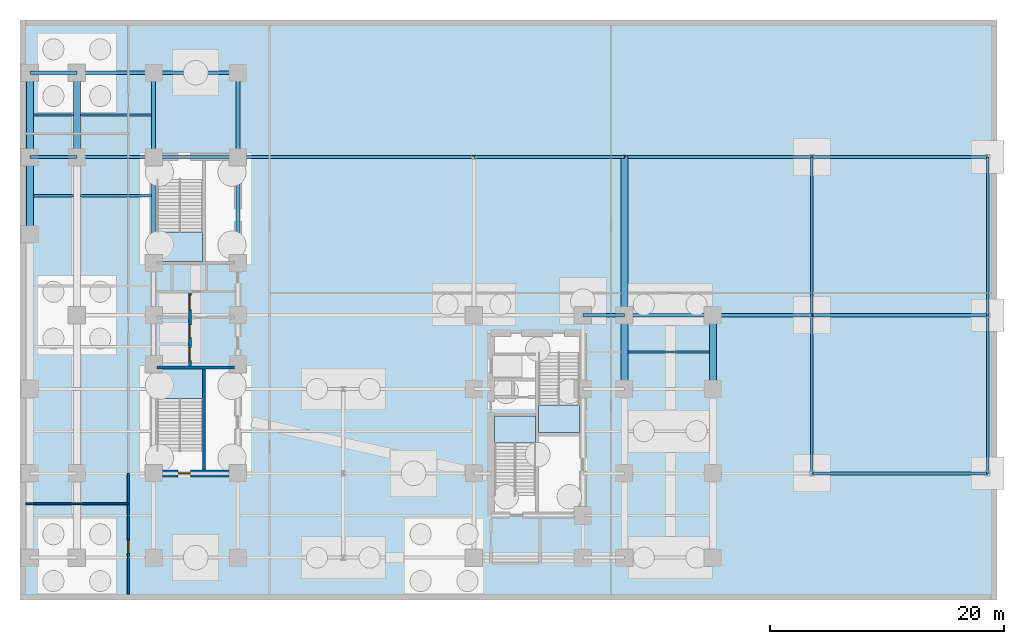
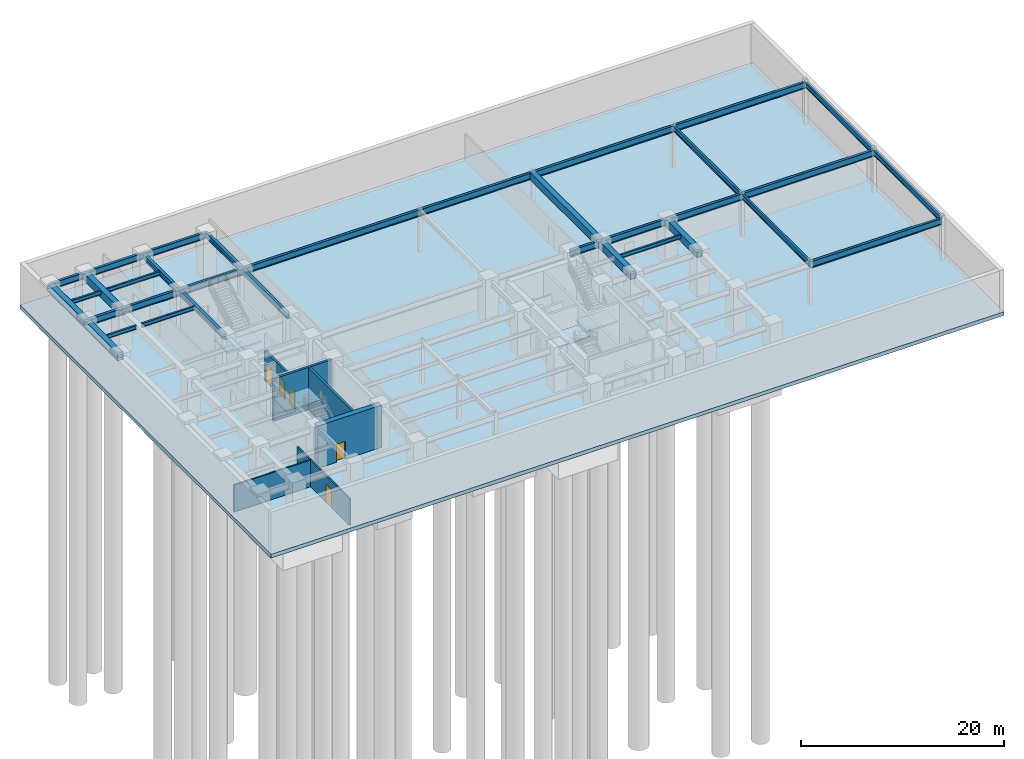
# One storey, part 5 of 11: 34 beams, 6 walls, 5 doors, 5 slabs, 5 openings, 4 elements without a shape of their own.
"""IFC4 building model written with IfcOpenShell, lengths in metres."""

from ifc_helpers import new_model, entity, si_unit, converted_unit, direction, frame, origin_with_axes, origin_2d_with_axis, place, context, subcontext, project, spatial, polyline, rectangle, i_section, outline, extrude, material, layer, layer_set, material_profile, profile_set, type_object, element, fill, aggregate, save


model = new_model("IFC4")

# Units and contexts
model_context = context("Model", 3, precision=1e-05, world=origin_with_axes(), true_north=direction((0.0, 1.0)))
body_context = subcontext(model_context, "Body", "Model", "MODEL_VIEW")
ifc_project = project(units=[si_unit("LENGTHUNIT", "METRE"), si_unit("AREAUNIT", "SQUARE_METRE"), si_unit("VOLUMEUNIT", "CUBIC_METRE"), converted_unit("PLANEANGLEUNIT", "DEGREE", entity("IfcPlaneAngleMeasure", 0.017453292519943295), si_unit("PLANEANGLEUNIT", "RADIAN"), dimensions=[0, 0, 0, 0, 0, 0, 0]), si_unit("MASSUNIT", "GRAM", prefix="KILO"), si_unit("THERMODYNAMICTEMPERATUREUNIT", "KELVIN")], contexts=[model_context])

# Site, building, storey
site_placement = place(None, origin_with_axes())
site = spatial("IfcSite", under=ifc_project, at=site_placement, CompositionType="ELEMENT")
building_placement = place(site_placement, origin_with_axes())
building = spatial("IfcBuilding", under=site, at=building_placement, Name="Varnlund Millrace Tower", CompositionType="ELEMENT")
storey_placement = place(building_placement, frame((0.0, 0.0, -10.2), z_axis=(0.0, 0.0, 1.0), x_axis=(1.0, 0.0, 0.0)))
storey = spatial("IfcBuildingStorey", under=building, at=storey_placement, Name="B2", CompositionType="ELEMENT", Elevation=-10.2)

# Beams
ifc_material_1 = material(Name="Steel ASTM A992 Grade 50", Category="steel")
ifc_material_profile_1 = material_profile(ifc_material_1, i_section(OverallWidth=0.228, OverallDepth=0.607, WebThickness=0.0112, FlangeThickness=0.0173, FilletRadius=0.015, at=origin_2d_with_axis()), Name="Steel ASTM A992 Grade 50")
ifc_profile_set_1 = profile_set([ifc_material_profile_1], Name="Steel ASTM A992 Grade 50")
beam_type_1 = type_object("IfcBeamType", Name="Type-Beam-W24X76", PredefinedType="BEAM", material=ifc_profile_set_1)
for number, where, z_axis, x_axis, name in (
    (1, (67.6, 10.8, 4.7765), (0.0, 1.0, 0.0), (-1.0, 0.0, 0.0), "Type-Beam-W24X76"),
    (2, (67.6, 24.3, 4.7765), (0.0, 1.0, 0.0), (-1.0, 0.0, 0.0), "Type-Beam-W24X76"),
    (3, (82.6, 10.8, 4.7765), (0.0, 1.0, 0.0), (-1.0, 0.0, 0.0), "Type-Beam-W24X76"),
    (4, (82.6, 24.3, 4.7765), (0.0, 1.0, 0.0), (-1.0, 0.0, 0.0), "Type-Beam-W24X76"),
):
    element("IfcBeam", number, at=place(storey_placement, frame(where, z_axis=z_axis, x_axis=x_axis)), inside=storey, type_object=beam_type_1, Name=name, PredefinedType="BEAM", context=body_context, shape_type="SweptSolid", body=[
        extrude(i_section(OverallWidth=0.228, OverallDepth=0.607, WebThickness=0.0112, FlangeThickness=0.0173, FilletRadius=0.015, at=origin_2d_with_axis()), origin_with_axes(), (0.0, 0.0, 1.0), 13.5),
    ])
ifc_material_profile_2 = material_profile(ifc_material_1, i_section(OverallWidth=0.328, OverallDepth=0.628, WebThickness=0.0165, FlangeThickness=0.0277, FilletRadius=0.018, at=origin_2d_with_axis()), Name="Steel ASTM A992 Grade 50")
ifc_profile_set_2 = profile_set([ifc_material_profile_2], Name="Steel ASTM A992 Grade 50")
beam_type_2 = type_object("IfcBeamType", Name="Type-Girder-W24X146", PredefinedType="USERDEFINED", material=ifc_profile_set_2)
beam_1_placement = place(storey_placement, frame((11.4, 28.75, 4.766), z_axis=(0.0, 1.0, 0.0), x_axis=(-1.0, 0.0, 0.0)))
element("IfcBeam", 5, at=beam_1_placement, inside=storey, type_object=beam_type_2, Name="Type-Girder-W24X146", ObjectType="GIRDER", PredefinedType="USERDEFINED", context=body_context, shape_type="SweptSolid", body=[
    extrude(i_section(OverallWidth=0.328, OverallDepth=0.628, WebThickness=0.0165, FlangeThickness=0.0277, FilletRadius=0.018, at=origin_2d_with_axis()), origin_with_axes(), (0.0, 0.0, 1.0), 9.05),
])
beam_2_placement = place(storey_placement, frame((11.4, 37.8, 4.766), z_axis=(0.0, 1.0, 0.0), x_axis=(-1.0, 0.0, 0.0)))
element("IfcBeam", 6, at=beam_2_placement, inside=storey, type_object=beam_type_2, Name="Type-Girder-W24X146", ObjectType="GIRDER", PredefinedType="USERDEFINED", context=body_context, shape_type="SweptSolid", body=[
    extrude(i_section(OverallWidth=0.328, OverallDepth=0.628, WebThickness=0.0165, FlangeThickness=0.0277, FilletRadius=0.018, at=origin_2d_with_axis()), origin_with_axes(), (0.0, 0.0, 1.0), 7.2),
])
beam_3_placement = place(storey_placement, frame((18.6, 28.75, 4.766), z_axis=(0.0, 1.0, 0.0), x_axis=(-1.0, 0.0, 0.0)))
element("IfcBeam", 7, at=beam_3_placement, inside=storey, type_object=beam_type_2, Name="Type-Girder-W24X146", ObjectType="GIRDER", PredefinedType="USERDEFINED", context=body_context, shape_type="SweptSolid", body=[
    extrude(i_section(OverallWidth=0.328, OverallDepth=0.628, WebThickness=0.0165, FlangeThickness=0.0277, FilletRadius=0.018, at=origin_2d_with_axis()), origin_with_axes(), (0.0, 0.0, 1.0), 9.05),
])
beam_4_placement = place(storey_placement, frame((18.6, 37.8, 4.766), z_axis=(0.0, 1.0, 0.0), x_axis=(-1.0, 0.0, 0.0)))
element("IfcBeam", 8, at=beam_4_placement, inside=storey, type_object=beam_type_2, Name="Type-Girder-W24X146", ObjectType="GIRDER", PredefinedType="USERDEFINED", context=body_context, shape_type="SweptSolid", body=[
    extrude(i_section(OverallWidth=0.328, OverallDepth=0.628, WebThickness=0.0165, FlangeThickness=0.0277, FilletRadius=0.018, at=origin_2d_with_axis()), origin_with_axes(), (0.0, 0.0, 1.0), 7.2),
])
ifc_material_profile_3 = material_profile(ifc_material_1, i_section(OverallWidth=0.266, OverallDepth=0.779, WebThickness=0.0165, FlangeThickness=0.03, FilletRadius=0.02, at=origin_2d_with_axis()), Name="Steel ASTM A992 Grade 50")
ifc_profile_set_3 = profile_set([ifc_material_profile_3], Name="Steel ASTM A992 Grade 50")
beam_type_3 = type_object("IfcBeamType", Name="Type-Girder-W30X148", PredefinedType="USERDEFINED", material=ifc_profile_set_3)
beam_5_placement = place(storey_placement, frame((67.6, 10.8, 4.6905), z_axis=(1.0, 0.0, 0.0), x_axis=(0.0, 1.0, 0.0)))
element("IfcBeam", 9, at=beam_5_placement, inside=storey, type_object=beam_type_3, Name="Type-Girder-W30X148", ObjectType="GIRDER", PredefinedType="USERDEFINED", context=body_context, shape_type="SweptSolid", body=[
    extrude(i_section(OverallWidth=0.266, OverallDepth=0.779, WebThickness=0.0165, FlangeThickness=0.03, FilletRadius=0.02, at=origin_2d_with_axis()), origin_with_axes(), (0.0, 0.0, 1.0), 15.0),
])
beam_6_placement = place(storey_placement, frame((48.05, 24.3, 4.6905), z_axis=(1.0, 0.0, 0.0), x_axis=(0.0, 1.0, 0.0)))
element("IfcBeam", 10, at=beam_6_placement, inside=storey, type_object=beam_type_3, Name="Type-Girder-W30X148", ObjectType="GIRDER", PredefinedType="USERDEFINED", context=body_context, shape_type="SweptSolid", body=[
    extrude(i_section(OverallWidth=0.266, OverallDepth=0.779, WebThickness=0.0165, FlangeThickness=0.03, FilletRadius=0.02, at=origin_2d_with_axis()), origin_with_axes(), (0.0, 0.0, 1.0), 3.55),
])
beam_7_placement = place(storey_placement, frame((51.6, 24.3, 4.6905), z_axis=(1.0, 0.0, 0.0), x_axis=(0.0, 1.0, 0.0)))
element("IfcBeam", 11, at=beam_7_placement, inside=storey, type_object=beam_type_3, Name="Type-Girder-W30X148", ObjectType="GIRDER", PredefinedType="USERDEFINED", context=body_context, shape_type="SweptSolid", body=[
    extrude(i_section(OverallWidth=0.266, OverallDepth=0.779, WebThickness=0.0165, FlangeThickness=0.03, FilletRadius=0.02, at=origin_2d_with_axis()), origin_with_axes(), (0.0, 0.0, 1.0), 7.55),
])
beam_8_placement = place(storey_placement, frame((59.15, 24.3, 4.6905), z_axis=(1.0, 0.0, 0.0), x_axis=(0.0, 1.0, 0.0)))
element("IfcBeam", 12, at=beam_8_placement, inside=storey, type_object=beam_type_3, Name="Type-Girder-W30X148", ObjectType="GIRDER", PredefinedType="USERDEFINED", context=body_context, shape_type="SweptSolid", body=[
    extrude(i_section(OverallWidth=0.266, OverallDepth=0.779, WebThickness=0.0165, FlangeThickness=0.03, FilletRadius=0.02, at=origin_2d_with_axis()), origin_with_axes(), (0.0, 0.0, 1.0), 8.45),
])
beam_9_placement = place(storey_placement, frame((67.6, 24.3, 4.6905), z_axis=(1.0, 0.0, 0.0), x_axis=(0.0, 1.0, 0.0)))
element("IfcBeam", 13, at=beam_9_placement, inside=storey, type_object=beam_type_3, Name="Type-Girder-W30X148", ObjectType="GIRDER", PredefinedType="USERDEFINED", context=body_context, shape_type="SweptSolid", body=[
    extrude(i_section(OverallWidth=0.266, OverallDepth=0.779, WebThickness=0.0165, FlangeThickness=0.03, FilletRadius=0.02, at=origin_2d_with_axis()), origin_with_axes(), (0.0, 0.0, 1.0), 15.0),
])
beam_10_placement = place(storey_placement, frame((0.85, 37.8, 4.6905), z_axis=(1.0, 0.0, 0.0), x_axis=(0.0, 1.0, 0.0)))
element("IfcBeam", 14, at=beam_10_placement, inside=storey, type_object=beam_type_3, Name="Type-Girder-W30X148", ObjectType="GIRDER", PredefinedType="USERDEFINED", context=body_context, shape_type="SweptSolid", body=[
    extrude(i_section(OverallWidth=0.266, OverallDepth=0.779, WebThickness=0.0165, FlangeThickness=0.03, FilletRadius=0.02, at=origin_2d_with_axis()), origin_with_axes(), (0.0, 0.0, 1.0), 4.0),
])
beam_11_placement = place(storey_placement, frame((4.85, 37.8, 4.6905), z_axis=(1.0, 0.0, 0.0), x_axis=(0.0, 1.0, 0.0)))
element("IfcBeam", 15, at=beam_11_placement, inside=storey, type_object=beam_type_3, Name="Type-Girder-W30X148", ObjectType="GIRDER", PredefinedType="USERDEFINED", context=body_context, shape_type="SweptSolid", body=[
    extrude(i_section(OverallWidth=0.266, OverallDepth=0.779, WebThickness=0.0165, FlangeThickness=0.03, FilletRadius=0.02, at=origin_2d_with_axis()), origin_with_axes(), (0.0, 0.0, 1.0), 6.55),
])
beam_12_placement = place(storey_placement, frame((11.4, 37.8, 4.6905), z_axis=(1.0, 0.0, 0.0), x_axis=(0.0, 1.0, 0.0)))
element("IfcBeam", 16, at=beam_12_placement, inside=storey, type_object=beam_type_3, Name="Type-Girder-W30X148", ObjectType="GIRDER", PredefinedType="USERDEFINED", context=body_context, shape_type="SweptSolid", body=[
    extrude(i_section(OverallWidth=0.266, OverallDepth=0.779, WebThickness=0.0165, FlangeThickness=0.03, FilletRadius=0.02, at=origin_2d_with_axis()), origin_with_axes(), (0.0, 0.0, 1.0), 7.2),
])
beam_13_placement = place(storey_placement, frame((18.6, 37.8, 4.6905), z_axis=(1.0, 0.0, 0.0), x_axis=(0.0, 1.0, 0.0)))
element("IfcBeam", 17, at=beam_13_placement, inside=storey, type_object=beam_type_3, Name="Type-Girder-W30X148", ObjectType="GIRDER", PredefinedType="USERDEFINED", context=body_context, shape_type="SweptSolid", body=[
    extrude(i_section(OverallWidth=0.266, OverallDepth=0.779, WebThickness=0.0165, FlangeThickness=0.03, FilletRadius=0.02, at=origin_2d_with_axis()), origin_with_axes(), (0.0, 0.0, 1.0), 20.15),
])
beam_14_placement = place(storey_placement, frame((38.75, 37.8, 4.6905), z_axis=(1.0, 0.0, 0.0), x_axis=(0.0, 1.0, 0.0)))
element("IfcBeam", 18, at=beam_14_placement, inside=storey, type_object=beam_type_3, Name="Type-Girder-W30X148", ObjectType="GIRDER", PredefinedType="USERDEFINED", context=body_context, shape_type="SweptSolid", body=[
    extrude(i_section(OverallWidth=0.266, OverallDepth=0.779, WebThickness=0.0165, FlangeThickness=0.03, FilletRadius=0.02, at=origin_2d_with_axis()), origin_with_axes(), (0.0, 0.0, 1.0), 12.85),
])
beam_15_placement = place(storey_placement, frame((51.6, 37.8, 4.6905), z_axis=(1.0, 0.0, 0.0), x_axis=(0.0, 1.0, 0.0)))
element("IfcBeam", 19, at=beam_15_placement, inside=storey, type_object=beam_type_3, Name="Type-Girder-W30X148", ObjectType="GIRDER", PredefinedType="USERDEFINED", context=body_context, shape_type="SweptSolid", body=[
    extrude(i_section(OverallWidth=0.266, OverallDepth=0.779, WebThickness=0.0165, FlangeThickness=0.03, FilletRadius=0.02, at=origin_2d_with_axis()), origin_with_axes(), (0.0, 0.0, 1.0), 16.0),
])
beam_16_placement = place(storey_placement, frame((67.6, 37.8, 4.6905), z_axis=(1.0, 0.0, 0.0), x_axis=(0.0, 1.0, 0.0)))
element("IfcBeam", 20, at=beam_16_placement, inside=storey, type_object=beam_type_3, Name="Type-Girder-W30X148", ObjectType="GIRDER", PredefinedType="USERDEFINED", context=body_context, shape_type="SweptSolid", body=[
    extrude(i_section(OverallWidth=0.266, OverallDepth=0.779, WebThickness=0.0165, FlangeThickness=0.03, FilletRadius=0.02, at=origin_2d_with_axis()), origin_with_axes(), (0.0, 0.0, 1.0), 15.0),
])
beam_17_placement = place(storey_placement, frame((0.85, 45.0, 4.6905), z_axis=(1.0, 0.0, 0.0), x_axis=(0.0, 1.0, 0.0)))
element("IfcBeam", 21, at=beam_17_placement, inside=storey, type_object=beam_type_3, Name="Type-Girder-W30X148", ObjectType="GIRDER", PredefinedType="USERDEFINED", context=body_context, shape_type="SweptSolid", body=[
    extrude(i_section(OverallWidth=0.266, OverallDepth=0.779, WebThickness=0.0165, FlangeThickness=0.03, FilletRadius=0.02, at=origin_2d_with_axis()), origin_with_axes(), (0.0, 0.0, 1.0), 4.0),
])
beam_18_placement = place(storey_placement, frame((4.85, 45.0, 4.6905), z_axis=(1.0, 0.0, 0.0), x_axis=(0.0, 1.0, 0.0)))
element("IfcBeam", 22, at=beam_18_placement, inside=storey, type_object=beam_type_3, Name="Type-Girder-W30X148", ObjectType="GIRDER", PredefinedType="USERDEFINED", context=body_context, shape_type="SweptSolid", body=[
    extrude(i_section(OverallWidth=0.266, OverallDepth=0.779, WebThickness=0.0165, FlangeThickness=0.03, FilletRadius=0.02, at=origin_2d_with_axis()), origin_with_axes(), (0.0, 0.0, 1.0), 6.55),
])
beam_19_placement = place(storey_placement, frame((11.4, 45.0, 4.6905), z_axis=(1.0, 0.0, 0.0), x_axis=(0.0, 1.0, 0.0)))
element("IfcBeam", 23, at=beam_19_placement, inside=storey, type_object=beam_type_3, Name="Type-Girder-W30X148", ObjectType="GIRDER", PredefinedType="USERDEFINED", context=body_context, shape_type="SweptSolid", body=[
    extrude(i_section(OverallWidth=0.266, OverallDepth=0.779, WebThickness=0.0165, FlangeThickness=0.03, FilletRadius=0.02, at=origin_2d_with_axis()), origin_with_axes(), (0.0, 0.0, 1.0), 7.2),
])
ifc_material_profile_4 = material_profile(ifc_material_1, i_section(OverallWidth=0.191, OverallDepth=0.457, WebThickness=0.009, FlangeThickness=0.0145, FilletRadius=0.013, at=origin_2d_with_axis()), Name="Steel ASTM A992 Grade 50")
ifc_profile_set_4 = profile_set([ifc_material_profile_4], Name="Steel ASTM A992 Grade 50")
beam_type_4 = type_object("IfcBeamType", Name="Type-Joist-W18X50", PredefinedType="JOIST", material=ifc_profile_set_4)
for number, where, z_axis, x_axis, name in (
    (24, (1.15, 34.5, 4.8515), (1.0, 0.0, 0.0), (0.0, 1.0, 0.0), "Type-Joist-W18X50"),
    (25, (1.15, 41.4, 4.8515), (1.0, 0.0, 0.0), (0.0, 1.0, 0.0), "Type-Joist-W18X50"),
):
    element("IfcBeam", number, at=place(storey_placement, frame(where, z_axis=z_axis, x_axis=x_axis)), inside=storey, type_object=beam_type_4, Name=name, PredefinedType="JOIST", context=body_context, shape_type="SweptSolid", body=[
        extrude(i_section(OverallWidth=0.191, OverallDepth=0.457, WebThickness=0.009, FlangeThickness=0.0145, FilletRadius=0.013, at=origin_2d_with_axis()), origin_with_axes(), (0.0, 0.0, 1.0), 3.4),
    ])
for number, where, z_axis, x_axis, name in (
    (26, (5.15, 34.5, 4.8515), (1.0, 0.0, 0.0), (0.0, 1.0, 0.0), "Type-Joist-W18X50"),
    (27, (5.15, 41.4, 4.8515), (1.0, 0.0, 0.0), (0.0, 1.0, 0.0), "Type-Joist-W18X50"),
):
    element("IfcBeam", number, at=place(storey_placement, frame(where, z_axis=z_axis, x_axis=x_axis)), inside=storey, type_object=beam_type_4, Name=name, PredefinedType="JOIST", context=body_context, shape_type="SweptSolid", body=[
        extrude(i_section(OverallWidth=0.191, OverallDepth=0.457, WebThickness=0.009, FlangeThickness=0.0145, FilletRadius=0.013, at=origin_2d_with_axis()), origin_with_axes(), (0.0, 0.0, 1.0), 6.086),
    ])
beam_20_placement = place(storey_placement, frame((51.9, 21.15, 4.8515), z_axis=(1.0, 0.0, 0.0), x_axis=(0.0, 1.0, 0.0)))
element("IfcBeam", 28, at=beam_20_placement, inside=storey, type_object=beam_type_4, Name="Type-Joist-W18X50", PredefinedType="JOIST", context=body_context, shape_type="SweptSolid", body=[
    extrude(i_section(OverallWidth=0.191, OverallDepth=0.457, WebThickness=0.009, FlangeThickness=0.0145, FilletRadius=0.013, at=origin_2d_with_axis()), origin_with_axes(), (0.0, 0.0, 1.0), 6.95),
])
ifc_material_2 = material(Name="Concrete C70/85", Category="concrete")
ifc_material_profile_5 = material_profile(ifc_material_2, rectangle(XDim=0.6, YDim=0.9, at=origin_2d_with_axis()), Name="Concrete C70/85")
ifc_profile_set_5 = profile_set([ifc_material_profile_5], Name="Concrete C70/85")
beam_type_5 = type_object("IfcBeamType", Name="Type-Spandrel-RC600X900", PredefinedType="SPANDREL", material=ifc_profile_set_5)
beam_21_placement = place(storey_placement, frame((0.85, 31.2, 4.63), z_axis=(0.0, 1.0, 0.0), x_axis=(-1.0, 0.0, 0.0)))
element("IfcBeam", 29, at=beam_21_placement, inside=storey, type_object=beam_type_5, Name="Type-Spandrel-RC600X900", PredefinedType="SPANDREL", context=body_context, shape_type="SweptSolid", body=[
    extrude(rectangle(XDim=0.6, YDim=0.9, at=origin_2d_with_axis()), origin_with_axes(), (0.0, 0.0, 1.0), 6.6),
])
for number, where, z_axis, x_axis, name in (
    (30, (0.85, 37.8, 4.63), (0.0, 1.0, 0.0), (-1.0, 0.0, 0.0), "Type-Spandrel-RC600X900"),
    (31, (4.85, 37.8, 4.63), (0.0, 1.0, 0.0), (-1.0, 0.0, 0.0), "Type-Spandrel-RC600X900"),
):
    element("IfcBeam", number, at=place(storey_placement, frame(where, z_axis=z_axis, x_axis=x_axis)), inside=storey, type_object=beam_type_5, Name=name, PredefinedType="SPANDREL", context=body_context, shape_type="SweptSolid", body=[
        extrude(rectangle(XDim=0.6, YDim=0.9, at=origin_2d_with_axis()), origin_with_axes(), (0.0, 0.0, 1.0), 7.2),
    ])
beam_22_placement = place(storey_placement, frame((51.6, 18.0, 4.63), z_axis=(0.0, 1.0, 0.0), x_axis=(-1.0, 0.0, 0.0)))
element("IfcBeam", 32, at=beam_22_placement, inside=storey, type_object=beam_type_5, Name="Type-Spandrel-RC600X900", PredefinedType="SPANDREL", context=body_context, shape_type="SweptSolid", body=[
    extrude(rectangle(XDim=0.6, YDim=0.9, at=origin_2d_with_axis()), origin_with_axes(), (0.0, 0.0, 1.0), 6.3),
])
beam_23_placement = place(storey_placement, frame((51.6, 24.3, 4.63), z_axis=(0.0, 1.0, 0.0), x_axis=(-1.0, 0.0, 0.0)))
element("IfcBeam", 33, at=beam_23_placement, inside=storey, type_object=beam_type_5, Name="Type-Spandrel-RC600X900", PredefinedType="SPANDREL", context=body_context, shape_type="SweptSolid", body=[
    extrude(rectangle(XDim=0.6, YDim=0.9, at=origin_2d_with_axis()), origin_with_axes(), (0.0, 0.0, 1.0), 13.5),
])
beam_24_placement = place(storey_placement, frame((59.15, 18.0, 4.63), z_axis=(0.0, 1.0, 0.0), x_axis=(-1.0, 0.0, 0.0)))
element("IfcBeam", 34, at=beam_24_placement, inside=storey, type_object=beam_type_5, Name="Type-Spandrel-RC600X900", PredefinedType="SPANDREL", context=body_context, shape_type="SweptSolid", body=[
    extrude(rectangle(XDim=0.6, YDim=0.9, at=origin_2d_with_axis()), origin_with_axes(), (0.0, 0.0, 1.0), 6.3),
])

# Slab
ifc_material_3 = material(Name="Concrete C50/60", Category="concrete")
ifc_layer_1 = layer(ifc_material_3, 0.45, Name="Concrete C50/60")
ifc_layer_set_1 = layer_set([ifc_layer_1], Name="Concrete C50/60")
slab_type_1 = type_object("IfcSlabType", Name="Type-Mat-Foundation-450", PredefinedType="BASESLAB", material=ifc_layer_set_1)
slab_1_placement = place(storey_placement, frame((0.0, 0.0, -0.45), z_axis=(0.0, 0.0, 1.0), x_axis=(1.0, 0.0, 0.0)))
element("IfcSlab", 35, at=slab_1_placement, inside=storey, type_object=slab_type_1, Name="Type-Mat-Foundation-450", PredefinedType="BASESLAB", context=body_context, shape_type="SweptSolid", body=[
    extrude(outline(polyline([(83.4, 0.0), (83.4, 49.5), (0.0, 49.5), (0.0, 0.0), (83.4, 0.0)])), origin_with_axes(), (0.0, 0.0, 1.0), 0.45),
])

# Stair, slab
stair_type_1 = type_object("IfcStairType", Name="Type-Stair-Dogleg-185-540", PredefinedType="HALF_TURN_STAIR", material=ifc_material_3)
stair_1_placement = place(storey_placement, origin_with_axes())
stair_1 = element("IfcStair", 36, at=stair_1_placement, inside=storey, type_object=stair_type_1, Name="Type-Stair-Dogleg-185-540", PredefinedType="HALF_TURN_STAIR")
ifc_layer_2 = layer(ifc_material_3, 0.2, Name="Concrete C50/60")
ifc_layer_set_2 = layer_set([ifc_layer_2], Name="Concrete C50/60")
slab_type_2 = type_object("IfcSlabType", Name="Type-StairLanding-200", PredefinedType="LANDING", material=ifc_layer_set_2)
slab_2_placement = place(storey_placement, frame((0.0, 0.0, 2.5), z_axis=(0.0, 0.0, 1.0), x_axis=(1.0, 0.0, 0.0)))
slab_2 = element("IfcSlab", 37, at=slab_2_placement, type_object=slab_type_2, Name="ST-A1 landing 1", PredefinedType="LANDING", context=body_context, shape_type="SweptSolid", body=[
    extrude(outline(polyline([(15.6, 17.18), (15.6, 19.7), (11.7, 19.7), (11.7, 17.18), (15.6, 17.18)])), origin_with_axes(), (0.0, 0.0, 1.0), 0.2),
])
aggregate(stair_1, [slab_2])

stair_2_placement = place(storey_placement, origin_with_axes())
stair_2 = element("IfcStair", 38, at=stair_2_placement, inside=storey, type_object=stair_type_1, Name="Type-Stair-Dogleg-185-540", PredefinedType="HALF_TURN_STAIR")
slab_3_placement = place(storey_placement, frame((0.0, 0.0, 2.5), z_axis=(0.0, 0.0, 1.0), x_axis=(1.0, 0.0, 0.0)))
slab_3 = element("IfcSlab", 39, at=slab_3_placement, type_object=slab_type_2, Name="ST-A2 landing 1", PredefinedType="LANDING", context=body_context, shape_type="SweptSolid", body=[
    extrude(outline(polyline([(11.7, 31.42), (11.7, 28.9), (15.6, 28.9), (15.6, 31.42), (11.7, 31.42)])), origin_with_axes(), (0.0, 0.0, 1.0), 0.2),
])
aggregate(stair_2, [slab_3])

stair_type_2 = type_object("IfcStairType", Name="Type-Stair-Dogleg-165-540", PredefinedType="HALF_TURN_STAIR", material=ifc_material_3)
stair_3_placement = place(storey_placement, origin_with_axes())
stair_3 = element("IfcStair", 40, at=stair_3_placement, inside=storey, type_object=stair_type_2, Name="Type-Stair-Dogleg-165-540", PredefinedType="HALF_TURN_STAIR")
slab_4_placement = place(storey_placement, frame((0.0, 0.0, 2.5), z_axis=(0.0, 0.0, 1.0), x_axis=(1.0, 0.0, 0.0)))
slab_4 = element("IfcSlab", 41, at=slab_4_placement, type_object=slab_type_2, Name="ST-B1 landing 1", PredefinedType="LANDING", context=body_context, shape_type="SweptSolid", body=[
    extrude(outline(polyline([(44.0, 13.38), (44.0, 15.7), (40.5, 15.7), (40.5, 13.38), (44.0, 13.38)])), origin_with_axes(), (0.0, 0.0, 1.0), 0.2),
])
aggregate(stair_3, [slab_4])

stair_4_placement = place(storey_placement, origin_with_axes())
stair_4 = element("IfcStair", 42, at=stair_4_placement, inside=storey, type_object=stair_type_2, Name="Type-Stair-Dogleg-165-540", PredefinedType="HALF_TURN_STAIR")
slab_5_placement = place(storey_placement, frame((0.0, 0.0, 2.5), z_axis=(0.0, 0.0, 1.0), x_axis=(1.0, 0.0, 0.0)))
slab_5 = element("IfcSlab", 43, at=slab_5_placement, type_object=slab_type_2, Name="ST-B2 landing 1", PredefinedType="LANDING", context=body_context, shape_type="SweptSolid", body=[
    extrude(outline(polyline([(44.25, 16.62), (44.25, 14.3), (47.75, 14.3), (47.75, 16.62), (44.25, 16.62)])), origin_with_axes(), (0.0, 0.0, 1.0), 0.2),
])
aggregate(stair_4, [slab_5])

# Wall, opening, door
ifc_material_4 = material(Name="Concrete C80/95", Category="concrete")
ifc_layer_3 = layer(ifc_material_4, 0.6, Name="Concrete C80/95")
ifc_layer_set_3 = layer_set([ifc_layer_3], Name="Concrete C80/95")
wall_type_1 = type_object("IfcWallType", Name="Type-CoreWall-Shear-600-C80", PredefinedType="SHEAR", material=ifc_layer_set_3)
wall_1_placement = place(storey_placement, frame((11.4, 10.8, 0.0), z_axis=(0.0, 0.0, 1.0), x_axis=(1.0, 0.0, 0.0)))
wall_1 = element("IfcWall", 44, at=wall_1_placement, inside=storey, type_object=wall_type_1, Name="Type-CoreWall-Shear-600-C80", PredefinedType="SHEAR", context=body_context, shape_type="SweptSolid", body=[
    extrude(outline(polyline([(0.0, -0.3), (7.2, -0.3), (7.2, 0.3), (0.0, 0.3), (0.0, -0.3)])), origin_with_axes(), (0.0, 0.0, 1.0), 5.08),
])
opening_1_placement = place(wall_1_placement, frame((2.625, 0.0, 0.0), z_axis=(0.0, 0.0, 1.0), x_axis=(1.0, 0.0, 0.0)))
opening_1 = element("IfcOpeningElement", 45, at=opening_1_placement, cuts=wall_1, Name="Opening B2:DR-STA1", PredefinedType="OPENING", context=body_context, shape_type="SweptSolid", body=[
    extrude(rectangle(XDim=1.05, YDim=0.62, at=origin_2d_with_axis()), origin_with_axes(), (0.0, 0.0, 1.0), 2.15),
])
ifc_material_5 = material(Name="Fire-rated hollow steel door", Category="steel")
door_type_1 = type_object("IfcDoorType", Name="Type-FireDoor-Stair-1050X2150", OperationType="NOTDEFINED", PredefinedType="DOOR", material=ifc_material_5)
door_1_placement = place(wall_1_placement, frame((2.625, 0.0, 0.0), z_axis=(0.0, 0.0, 1.0), x_axis=(1.0, 0.0, 0.0)))
door_1 = element("IfcDoor", 46, at=door_1_placement, inside=storey, type_object=door_type_1, Name="Type-FireDoor-Stair-1050X2150", OperationType="SINGLE_SWING_LEFT", OverallHeight=2.15, OverallWidth=1.05, PredefinedType="DOOR", context=body_context, shape_type="SweptSolid", body=[
    extrude(rectangle(XDim=1.05, YDim=0.09, at=origin_2d_with_axis()), origin_with_axes(), (0.0, 0.0, 1.0), 2.15),
])
fill(opening_1, door_1)

ifc_material_6 = material(Name="Fire-rated gypsum board on cold-formed steel framing", Category="steel")
ifc_layer_4 = layer(ifc_material_6, 0.16, Name="Fire-rated gypsum board on cold-formed steel framing")
ifc_layer_set_4 = layer_set([ifc_layer_4], Name="Fire-rated gypsum board on cold-formed steel framing")
wall_type_2 = type_object("IfcWallType", Name="Type-Partition-Corridor-160", PredefinedType="PARTITIONING", material=ifc_layer_set_4)
wall_2_placement = place(storey_placement, frame((9.25, 0.5, 0.0), z_axis=(0.0, 0.0, 1.0), x_axis=(0.0, 1.0, 0.0)))
wall_2 = element("IfcWall", 47, at=wall_2_placement, inside=storey, type_object=wall_type_2, Name="Type-Partition-Corridor-160", PredefinedType="PARTITIONING", context=body_context, shape_type="SweptSolid", body=[
    extrude(outline(polyline([(0.0, -0.08), (10.3, -0.08), (10.3, 0.08), (0.0, 0.08), (0.0, -0.08)])), origin_with_axes(), (0.0, 0.0, 1.0), 3.2),
])
opening_2_placement = place(wall_2_placement, frame((4.05, 0.0, 0.0), z_axis=(0.0, 0.0, 1.0), x_axis=(1.0, 0.0, 0.0)))
opening_2 = element("IfcOpeningElement", 48, at=opening_2_placement, cuts=wall_2, Name="Opening B2:DR-FIR", PredefinedType="OPENING", context=body_context, shape_type="SweptSolid", body=[
    extrude(rectangle(XDim=1.1, YDim=0.18, at=origin_2d_with_axis()), origin_with_axes(), (0.0, 0.0, 1.0), 2.15),
])
ifc_material_7 = material(Name="Fire-rated mechanical room steel door", Category="steel")
door_type_2 = type_object("IfcDoorType", Name="Type-FireDoor-Plant-1100X2150", OperationType="NOTDEFINED", PredefinedType="DOOR", material=ifc_material_7)
door_2_placement = place(wall_2_placement, frame((4.05, 0.0, 0.0), z_axis=(0.0, 0.0, 1.0), x_axis=(1.0, 0.0, 0.0)))
door_2 = element("IfcDoor", 49, at=door_2_placement, inside=storey, type_object=door_type_2, Name="Type-FireDoor-Plant-1100X2150", OperationType="SINGLE_SWING_RIGHT", OverallHeight=2.15, OverallWidth=1.1, PredefinedType="DOOR", context=body_context, shape_type="SweptSolid", body=[
    extrude(rectangle(XDim=1.1, YDim=0.09, at=origin_2d_with_axis()), origin_with_axes(), (0.0, 0.0, 1.0), 2.15),
])
fill(opening_2, door_2)

# Wall
wall_3_placement = place(storey_placement, frame((0.5, 8.2, 0.0), z_axis=(0.0, 0.0, 1.0), x_axis=(1.0, 0.0, 0.0)))
element("IfcWall", 50, at=wall_3_placement, inside=storey, type_object=wall_type_2, Name="Type-Partition-Corridor-160", PredefinedType="PARTITIONING", context=body_context, shape_type="SweptSolid", body=[
    extrude(outline(polyline([(0.0, -0.08), (8.75, -0.08), (8.75, 0.08), (0.0, 0.08), (0.0, -0.08)])), origin_with_axes(), (0.0, 0.0, 1.0), 3.2),
])

# Wall, openings, doors
ifc_material_8 = material(Name="Concrete C60/75", Category="concrete")
ifc_layer_5 = layer(ifc_material_8, 0.25, Name="Concrete C60/75")
ifc_layer_set_5 = layer_set([ifc_layer_5], Name="Concrete C60/75")
wall_type_3 = type_object("IfcWallType", Name="Type-ShaftWall-Fire-250", PredefinedType="SOLIDWALL", material=ifc_layer_set_5)
wall_4_placement = place(storey_placement, frame((14.5, 19.95, 0.0), z_axis=(0.0, 0.0, 1.0), x_axis=(0.0, 1.0, 0.0)))
wall_4 = element("IfcWall", 51, at=wall_4_placement, inside=storey, type_object=wall_type_3, Name="Type-ShaftWall-Fire-250", PredefinedType="SOLIDWALL", context=body_context, shape_type="SweptSolid", body=[
    extrude(outline(polyline([(0.0, -0.125), (6.25, -0.125), (6.25, 0.125), (0.0, 0.125), (0.0, -0.125)])), origin_with_axes(), (0.0, 0.0, 1.0), 3.6),
])
opening_3_placement = place(wall_4_placement, frame((1.025, 0.0, 0.0), z_axis=(0.0, 0.0, 1.0), x_axis=(1.0, 0.0, 0.0)))
opening_3 = element("IfcOpeningElement", 52, at=opening_3_placement, cuts=wall_4, Name="Opening B2:LD-FSAE1", PredefinedType="OPENING", context=body_context, shape_type="SweptSolid", body=[
    extrude(rectangle(XDim=1.1, YDim=0.27, at=origin_2d_with_axis()), origin_with_axes(), (0.0, 0.0, 1.0), 2.15),
])
opening_4_placement = place(wall_4_placement, frame((2.975, 0.0, 0.0), z_axis=(0.0, 0.0, 1.0), x_axis=(1.0, 0.0, 0.0)))
opening_4 = element("IfcOpeningElement", 53, at=opening_4_placement, cuts=wall_4, Name="Opening B2:LD-FSAE2", PredefinedType="OPENING", context=body_context, shape_type="SweptSolid", body=[
    extrude(rectangle(XDim=1.1, YDim=0.27, at=origin_2d_with_axis()), origin_with_axes(), (0.0, 0.0, 1.0), 2.15),
])
opening_5_placement = place(wall_4_placement, frame((5.425, 0.0, 0.0), z_axis=(0.0, 0.0, 1.0), x_axis=(1.0, 0.0, 0.0)))
opening_5 = element("IfcOpeningElement", 54, at=opening_5_placement, cuts=wall_4, Name="Opening B2:LD-SRV1", PredefinedType="OPENING", context=body_context, shape_type="SweptSolid", body=[
    extrude(rectangle(XDim=1.2, YDim=0.27, at=origin_2d_with_axis()), origin_with_axes(), (0.0, 0.0, 1.0), 2.15),
])
ifc_material_9 = material(Name="Stainless and architectural bronze sliding landing door")
door_type_3 = type_object("IfcDoorType", Name="Type-LiftLandingDoor-1100X2150", OperationType="NOTDEFINED", PredefinedType="DOOR", material=ifc_material_9)
door_3_placement = place(wall_4_placement, frame((1.025, 0.0, 0.0), z_axis=(0.0, 0.0, 1.0), x_axis=(1.0, 0.0, 0.0)))
door_3 = element("IfcDoor", 55, at=door_3_placement, inside=storey, type_object=door_type_3, Name="Type-LiftLandingDoor-1100X2150", OperationType="SLIDING_TO_LEFT", OverallHeight=2.15, OverallWidth=1.1, PredefinedType="DOOR", context=body_context, shape_type="SweptSolid", body=[
    extrude(rectangle(XDim=1.1, YDim=0.09, at=origin_2d_with_axis()), origin_with_axes(), (0.0, 0.0, 1.0), 2.15),
])
fill(opening_3, door_3)
door_4_placement = place(wall_4_placement, frame((2.975, 0.0, 0.0), z_axis=(0.0, 0.0, 1.0), x_axis=(1.0, 0.0, 0.0)))
door_4 = element("IfcDoor", 56, at=door_4_placement, inside=storey, type_object=door_type_3, Name="Type-LiftLandingDoor-1100X2150", OperationType="SLIDING_TO_RIGHT", OverallHeight=2.15, OverallWidth=1.1, PredefinedType="DOOR", context=body_context, shape_type="SweptSolid", body=[
    extrude(rectangle(XDim=1.1, YDim=0.09, at=origin_2d_with_axis()), origin_with_axes(), (0.0, 0.0, 1.0), 2.15),
])
fill(opening_4, door_4)
ifc_material_10 = material(Name="Heavy-duty freight sliding landing door")
door_type_4 = type_object("IfcDoorType", Name="Type-LiftLandingDoor-Service-1200X2150", OperationType="NOTDEFINED", PredefinedType="DOOR", material=ifc_material_10)
door_5_placement = place(wall_4_placement, frame((5.425, 0.0, 0.0), z_axis=(0.0, 0.0, 1.0), x_axis=(1.0, 0.0, 0.0)))
door_5 = element("IfcDoor", 57, at=door_5_placement, inside=storey, type_object=door_type_4, Name="Type-LiftLandingDoor-Service-1200X2150", OperationType="DOUBLE_DOOR_SLIDING", OverallHeight=2.15, OverallWidth=1.2, PredefinedType="DOOR", context=body_context, shape_type="SweptSolid", body=[
    extrude(rectangle(XDim=1.2, YDim=0.09, at=origin_2d_with_axis()), origin_with_axes(), (0.0, 0.0, 1.0), 2.15),
])
fill(opening_5, door_5)

# Walls
wall_type_4 = type_object("IfcWallType", Name="Type-StairWall-Shear-250", PredefinedType="SHEAR", material=ifc_layer_set_5)
wall_5_placement = place(storey_placement, frame((15.725, 11.1, 0.0), z_axis=(0.0, 0.0, 1.0), x_axis=(0.0, 1.0, 0.0)))
element("IfcWall", 58, at=wall_5_placement, inside=storey, type_object=wall_type_4, Name="Type-StairWall-Shear-250", PredefinedType="SHEAR", context=body_context, shape_type="SweptSolid", body=[
    extrude(outline(polyline([(0.0, -0.125), (8.6, -0.125), (8.6, 0.125), (0.0, 0.125), (0.0, -0.125)])), origin_with_axes(), (0.0, 0.0, 1.0), 5.08),
])
wall_6_placement = place(storey_placement, frame((11.7, 19.825, 0.0), z_axis=(0.0, 0.0, 1.0), x_axis=(1.0, 0.0, 0.0)))
element("IfcWall", 59, at=wall_6_placement, inside=storey, type_object=wall_type_4, Name="Type-StairWall-Shear-250", PredefinedType="SHEAR", context=body_context, shape_type="SweptSolid", body=[
    extrude(outline(polyline([(0.0, -0.125), (6.6, -0.125), (6.6, 0.125), (0.0, 0.125), (0.0, -0.125)])), origin_with_axes(), (0.0, 0.0, 1.0), 5.08),
])

save(model, "model.ifc")
